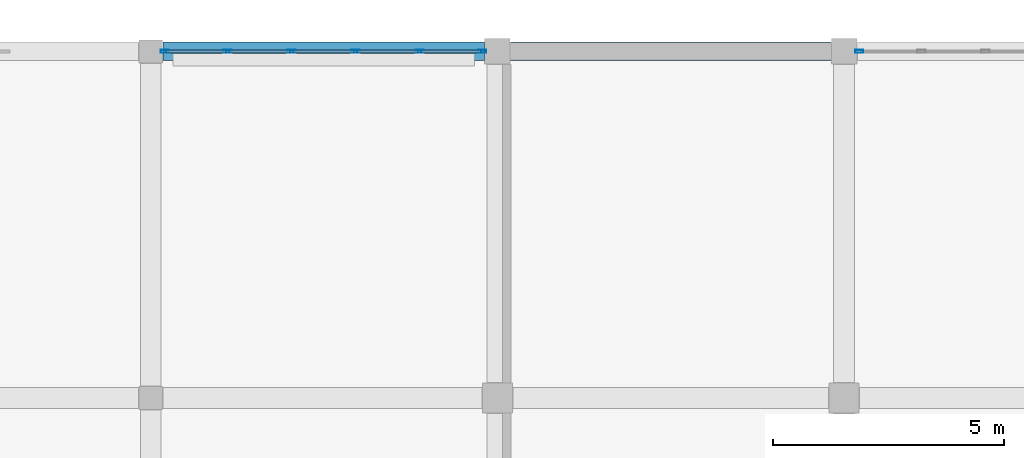
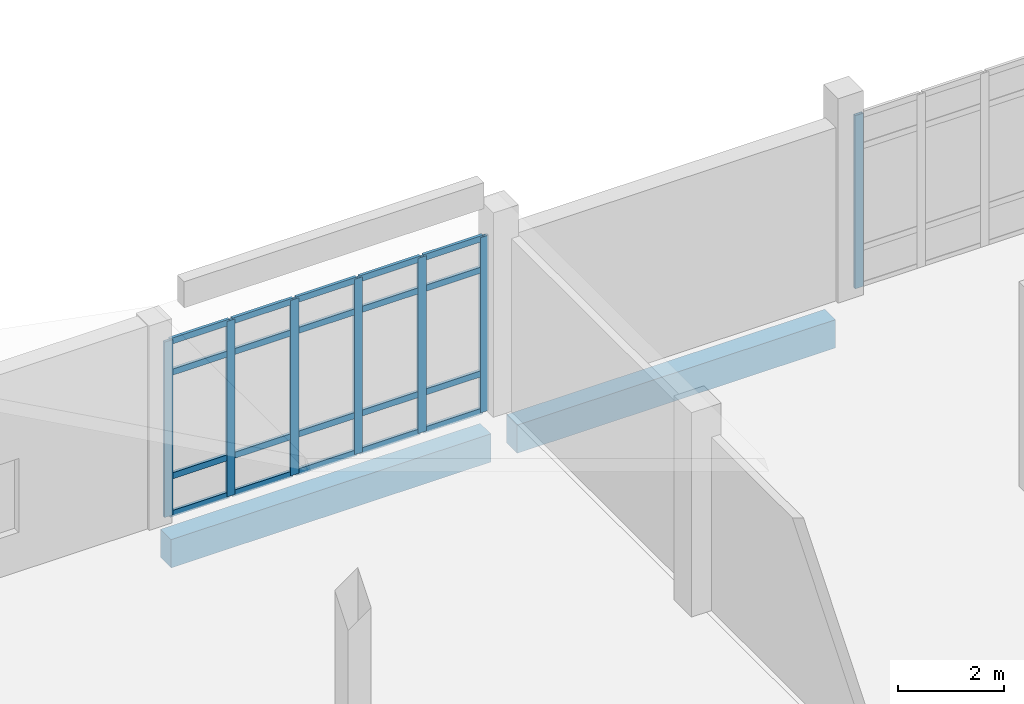
# One storey, part 72 of 173: 27 members, 2 beams, 2 elements without a shape of their own.
"""IFC4 building model written with IfcOpenShell, lengths in metres."""

from ifc_helpers import new_model, si_unit, direction, frame, origin, origin_2d, place, context, subcontext, project, spatial, rectangle, hollow_rectangle, extrude, material, layer, layer_set, material_profile, profile_set, type_object, element, aggregate, save


model = new_model("IFC4")

# Units and contexts
model_context = context("Model", 3, precision=1e-05, world=origin(), true_north=direction((0.0, 1.0)))
body_context = subcontext(model_context, "Body", "Model", "MODEL_VIEW")
ifc_project = project(units=[si_unit("LENGTHUNIT", "METRE"), si_unit("AREAUNIT", "SQUARE_METRE"), si_unit("VOLUMEUNIT", "CUBIC_METRE"), si_unit("PLANEANGLEUNIT", "RADIAN"), si_unit("MASSUNIT", "GRAM", prefix="KILO")], contexts=[model_context])

# Site, building, storey
site_placement = place(None, origin())
site = spatial("IfcSite", under=ifc_project, at=site_placement, CompositionType="ELEMENT")
building_placement = place(site_placement, origin())
building = spatial("IfcBuilding", under=site, at=building_placement, Name="Mawjan Specialist Oncology Clinic", CompositionType="ELEMENT")
storey_placement = place(building_placement, origin())
storey = spatial("IfcBuildingStorey", under=building, at=storey_placement, Name="L00", CompositionType="ELEMENT", Elevation=0.0)

# Curtain wall, members
ifc_material_1 = material(Name="Unitised spectrally selective aluminium curtain wall", Category="aluminium")
ifc_layer_1 = layer(ifc_material_1, 0.179931640625, Name="Unitised spectrally selective aluminium curtain wall", Category="aluminium")
ifc_layer_set_1 = layer_set([ifc_layer_1], Name="Unitised spectrally selective aluminium curtain wall")
curtain_wall_type_1 = type_object("IfcCurtainWallType", Name="CW-12", PredefinedType="NOTDEFINED", material=ifc_layer_set_1)
curtain_wall_1_placement = place(storey_placement, origin())
curtain_wall_1 = element("IfcCurtainWall", 1, at=curtain_wall_1_placement, inside=storey, type_object=curtain_wall_type_1, Name="L00 Unitised Curtain Wall CW-L00-020", PredefinedType="NOTDEFINED")
ifc_material_2 = material(Name="Thermally broken aluminium 6063-T6", Category="aluminium")
ifc_material_profile_1 = material_profile(ifc_material_2, hollow_rectangle(XDim=0.06494140625, YDim=0.179931640625, WallThickness=0.00390625, at=origin_2d()), Name="ALU MULLION 180x65x4", Category="aluminium")
ifc_profile_set_1 = profile_set([ifc_material_profile_1], Name="Thermally broken aluminium 6063-T6")
member_type_1 = type_object("IfcMemberType", Name="CW-M180", PredefinedType="MULLION", material=ifc_profile_set_1)
member_1_placement = place(storey_placement, frame((37.802490234375, 113.300048828125, 0.0), z_axis=(0.0, 0.0, 1.0), x_axis=(0.0, 1.0, 0.0)))
member_1 = element("IfcMember", 2, at=member_1_placement, type_object=member_type_1, Name="CW-12 mullion 1", PredefinedType="MULLION", context=body_context, shape_type="SweptSolid", body=[
    extrude(hollow_rectangle(XDim=0.06494140625, YDim=0.179931640625, WallThickness=0.00390625, at=origin_2d()), origin(), (0.0, 0.0, 1.0), 4.034912109375),
])
member_2_placement = place(storey_placement, frame((39.156982421875, 113.300048828125, 0.0), z_axis=(0.0, 0.0, 1.0), x_axis=(0.0, 1.0, 0.0)))
member_2 = element("IfcMember", 3, at=member_2_placement, type_object=member_type_1, Name="CW-12 mullion 2", PredefinedType="MULLION", context=body_context, shape_type="SweptSolid", body=[
    extrude(hollow_rectangle(XDim=0.06494140625, YDim=0.179931640625, WallThickness=0.00390625, at=origin_2d()), origin(), (0.0, 0.0, 1.0), 4.034912109375),
])
member_3_placement = place(storey_placement, frame((40.5439453125, 113.300048828125, 0.0), z_axis=(0.0, 0.0, 1.0), x_axis=(0.0, 1.0, 0.0)))
member_3 = element("IfcMember", 4, at=member_3_placement, type_object=member_type_1, Name="CW-12 mullion 3", PredefinedType="MULLION", context=body_context, shape_type="SweptSolid", body=[
    extrude(hollow_rectangle(XDim=0.06494140625, YDim=0.179931640625, WallThickness=0.00390625, at=origin_2d()), origin(), (0.0, 0.0, 1.0), 4.034912109375),
])
member_4_placement = place(storey_placement, frame((41.930908203125, 113.300048828125, 0.0), z_axis=(0.0, 0.0, 1.0), x_axis=(0.0, 1.0, 0.0)))
member_4 = element("IfcMember", 5, at=member_4_placement, type_object=member_type_1, Name="CW-12 mullion 4", PredefinedType="MULLION", context=body_context, shape_type="SweptSolid", body=[
    extrude(hollow_rectangle(XDim=0.06494140625, YDim=0.179931640625, WallThickness=0.00390625, at=origin_2d()), origin(), (0.0, 0.0, 1.0), 4.034912109375),
])
member_5_placement = place(storey_placement, frame((43.318115234375, 113.300048828125, 0.0), z_axis=(0.0, 0.0, 1.0), x_axis=(0.0, 1.0, 0.0)))
member_5 = element("IfcMember", 6, at=member_5_placement, type_object=member_type_1, Name="CW-12 mullion 5", PredefinedType="MULLION", context=body_context, shape_type="SweptSolid", body=[
    extrude(hollow_rectangle(XDim=0.06494140625, YDim=0.179931640625, WallThickness=0.00390625, at=origin_2d()), origin(), (0.0, 0.0, 1.0), 4.034912109375),
])
member_6_placement = place(storey_placement, frame((44.672607421875, 113.300048828125, 0.0), z_axis=(0.0, 0.0, 1.0), x_axis=(0.0, 1.0, 0.0)))
member_6 = element("IfcMember", 7, at=member_6_placement, type_object=member_type_1, Name="CW-12 mullion 6", PredefinedType="MULLION", context=body_context, shape_type="SweptSolid", body=[
    extrude(hollow_rectangle(XDim=0.06494140625, YDim=0.179931640625, WallThickness=0.00390625, at=origin_2d()), origin(), (0.0, 0.0, 1.0), 4.034912109375),
])

# Curtain wall, member
ifc_material_3 = material(Name="Unitised spectrally selective aluminium curtain wall", Category="aluminium")
ifc_layer_2 = layer(ifc_material_3, 0.179931640625, Name="Unitised spectrally selective aluminium curtain wall", Category="aluminium")
ifc_layer_set_2 = layer_set([ifc_layer_2], Name="Unitised spectrally selective aluminium curtain wall")
curtain_wall_type_2 = type_object("IfcCurtainWallType", Name="CW-08", PredefinedType="NOTDEFINED", material=ifc_layer_set_2)
curtain_wall_2_placement = place(storey_placement, origin())
curtain_wall_2 = element("IfcCurtainWall", 8, at=curtain_wall_2_placement, inside=storey, type_object=curtain_wall_type_2, Name="L00 Unitised Curtain Wall CW-L00-021", PredefinedType="NOTDEFINED")
member_7_placement = place(storey_placement, frame((52.827392578125, 113.300048828125, 0.0), z_axis=(0.0, 0.0, 1.0), x_axis=(0.0, 1.0, 0.0)))
member_7 = element("IfcMember", 9, at=member_7_placement, type_object=member_type_1, Name="CW-08 mullion 1", PredefinedType="MULLION", context=body_context, shape_type="SweptSolid", body=[
    extrude(hollow_rectangle(XDim=0.06494140625, YDim=0.179931640625, WallThickness=0.00390625, at=origin_2d()), origin(), (0.0, 0.0, 1.0), 3.985107421875),
])
aggregate(curtain_wall_2, [member_7])

# Member
ifc_material_4 = material(Name="Thermally broken aluminium 6063-T6", Category="aluminium")
ifc_material_profile_2 = material_profile(ifc_material_4, hollow_rectangle(XDim=0.06494140625, YDim=0.139892578125, WallThickness=0.00390625, at=origin_2d()), Name="ALU TRANSOM 140x65x4", Category="aluminium")
ifc_profile_set_2 = profile_set([ifc_material_profile_2], Name="Thermally broken aluminium 6063-T6")
member_type_2 = type_object("IfcMemberType", Name="CW-T140", PredefinedType="USERDEFINED", material=ifc_profile_set_2)
member_8_placement = place(storey_placement, frame((37.8349609375, 113.300048828125, 0.032470703125), z_axis=(1.0, 0.0, 0.0), x_axis=(0.0, 1.0, 0.0)))
member_8 = element("IfcMember", 10, at=member_8_placement, type_object=member_type_2, Name="CW-12 transom 1.1", ObjectType="TRANSOM", PredefinedType="USERDEFINED", context=body_context, shape_type="SweptSolid", body=[
    extrude(hollow_rectangle(XDim=0.06494140625, YDim=0.139892578125, WallThickness=0.00390625, at=origin_2d()), origin(), (0.0, 0.0, 1.0), 1.28955078125),
])

member_9_placement = place(storey_placement, frame((37.8349609375, 113.300048828125, 0.89990234375), z_axis=(1.0, 0.0, 0.0), x_axis=(0.0, 1.0, 0.0)))
member_9 = element("IfcMember", 11, at=member_9_placement, type_object=member_type_2, Name="CW-12 transom 1.2", ObjectType="TRANSOM", PredefinedType="USERDEFINED", context=body_context, shape_type="SweptSolid", body=[
    extrude(hollow_rectangle(XDim=0.06494140625, YDim=0.139892578125, WallThickness=0.00390625, at=origin_2d()), origin(), (0.0, 0.0, 1.0), 1.28955078125),
])

member_10_placement = place(storey_placement, frame((37.8349609375, 113.300048828125, 3.284912109375), z_axis=(1.0, 0.0, 0.0), x_axis=(0.0, 1.0, 0.0)))
member_10 = element("IfcMember", 12, at=member_10_placement, type_object=member_type_2, Name="CW-12 transom 1.3", ObjectType="TRANSOM", PredefinedType="USERDEFINED", context=body_context, shape_type="SweptSolid", body=[
    extrude(hollow_rectangle(XDim=0.06494140625, YDim=0.139892578125, WallThickness=0.00390625, at=origin_2d()), origin(), (0.0, 0.0, 1.0), 1.28955078125),
])

member_11_placement = place(storey_placement, frame((37.8349609375, 113.300048828125, 4.00244140625), z_axis=(1.0, 0.0, 0.0), x_axis=(0.0, 1.0, 0.0)))
member_11 = element("IfcMember", 13, at=member_11_placement, type_object=member_type_2, Name="CW-12 transom 1.4", ObjectType="TRANSOM", PredefinedType="USERDEFINED", context=body_context, shape_type="SweptSolid", body=[
    extrude(hollow_rectangle(XDim=0.06494140625, YDim=0.139892578125, WallThickness=0.00390625, at=origin_2d()), origin(), (0.0, 0.0, 1.0), 1.28955078125),
])

member_12_placement = place(storey_placement, frame((39.189453125, 113.300048828125, 0.032470703125), z_axis=(1.0, 0.0, 0.0), x_axis=(0.0, 1.0, 0.0)))
member_12 = element("IfcMember", 14, at=member_12_placement, type_object=member_type_2, Name="CW-12 transom 2.1", ObjectType="TRANSOM", PredefinedType="USERDEFINED", context=body_context, shape_type="SweptSolid", body=[
    extrude(hollow_rectangle(XDim=0.06494140625, YDim=0.139892578125, WallThickness=0.00390625, at=origin_2d()), origin(), (0.0, 0.0, 1.0), 1.322021484375),
])

member_13_placement = place(storey_placement, frame((39.189453125, 113.300048828125, 0.89990234375), z_axis=(1.0, 0.0, 0.0), x_axis=(0.0, 1.0, 0.0)))
member_13 = element("IfcMember", 15, at=member_13_placement, type_object=member_type_2, Name="CW-12 transom 2.2", ObjectType="TRANSOM", PredefinedType="USERDEFINED", context=body_context, shape_type="SweptSolid", body=[
    extrude(hollow_rectangle(XDim=0.06494140625, YDim=0.139892578125, WallThickness=0.00390625, at=origin_2d()), origin(), (0.0, 0.0, 1.0), 1.322021484375),
])

member_14_placement = place(storey_placement, frame((39.189453125, 113.300048828125, 3.284912109375), z_axis=(1.0, 0.0, 0.0), x_axis=(0.0, 1.0, 0.0)))
member_14 = element("IfcMember", 16, at=member_14_placement, type_object=member_type_2, Name="CW-12 transom 2.3", ObjectType="TRANSOM", PredefinedType="USERDEFINED", context=body_context, shape_type="SweptSolid", body=[
    extrude(hollow_rectangle(XDim=0.06494140625, YDim=0.139892578125, WallThickness=0.00390625, at=origin_2d()), origin(), (0.0, 0.0, 1.0), 1.322021484375),
])

member_15_placement = place(storey_placement, frame((39.189453125, 113.300048828125, 4.00244140625), z_axis=(1.0, 0.0, 0.0), x_axis=(0.0, 1.0, 0.0)))
member_15 = element("IfcMember", 17, at=member_15_placement, type_object=member_type_2, Name="CW-12 transom 2.4", ObjectType="TRANSOM", PredefinedType="USERDEFINED", context=body_context, shape_type="SweptSolid", body=[
    extrude(hollow_rectangle(XDim=0.06494140625, YDim=0.139892578125, WallThickness=0.00390625, at=origin_2d()), origin(), (0.0, 0.0, 1.0), 1.322021484375),
])

member_16_placement = place(storey_placement, frame((40.576416015625, 113.300048828125, 0.032470703125), z_axis=(1.0, 0.0, 0.0), x_axis=(0.0, 1.0, 0.0)))
member_16 = element("IfcMember", 18, at=member_16_placement, type_object=member_type_2, Name="CW-12 transom 3.1", ObjectType="TRANSOM", PredefinedType="USERDEFINED", context=body_context, shape_type="SweptSolid", body=[
    extrude(hollow_rectangle(XDim=0.06494140625, YDim=0.139892578125, WallThickness=0.00390625, at=origin_2d()), origin(), (0.0, 0.0, 1.0), 1.322021484375),
])

member_17_placement = place(storey_placement, frame((40.576416015625, 113.300048828125, 0.89990234375), z_axis=(1.0, 0.0, 0.0), x_axis=(0.0, 1.0, 0.0)))
member_17 = element("IfcMember", 19, at=member_17_placement, type_object=member_type_2, Name="CW-12 transom 3.2", ObjectType="TRANSOM", PredefinedType="USERDEFINED", context=body_context, shape_type="SweptSolid", body=[
    extrude(hollow_rectangle(XDim=0.06494140625, YDim=0.139892578125, WallThickness=0.00390625, at=origin_2d()), origin(), (0.0, 0.0, 1.0), 1.322021484375),
])

member_18_placement = place(storey_placement, frame((40.576416015625, 113.300048828125, 3.284912109375), z_axis=(1.0, 0.0, 0.0), x_axis=(0.0, 1.0, 0.0)))
member_18 = element("IfcMember", 20, at=member_18_placement, type_object=member_type_2, Name="CW-12 transom 3.3", ObjectType="TRANSOM", PredefinedType="USERDEFINED", context=body_context, shape_type="SweptSolid", body=[
    extrude(hollow_rectangle(XDim=0.06494140625, YDim=0.139892578125, WallThickness=0.00390625, at=origin_2d()), origin(), (0.0, 0.0, 1.0), 1.322021484375),
])

member_19_placement = place(storey_placement, frame((40.576416015625, 113.300048828125, 4.00244140625), z_axis=(1.0, 0.0, 0.0), x_axis=(0.0, 1.0, 0.0)))
member_19 = element("IfcMember", 21, at=member_19_placement, type_object=member_type_2, Name="CW-12 transom 3.4", ObjectType="TRANSOM", PredefinedType="USERDEFINED", context=body_context, shape_type="SweptSolid", body=[
    extrude(hollow_rectangle(XDim=0.06494140625, YDim=0.139892578125, WallThickness=0.00390625, at=origin_2d()), origin(), (0.0, 0.0, 1.0), 1.322021484375),
])

member_20_placement = place(storey_placement, frame((41.96337890625, 113.300048828125, 0.032470703125), z_axis=(1.0, 0.0, 0.0), x_axis=(0.0, 1.0, 0.0)))
member_20 = element("IfcMember", 22, at=member_20_placement, type_object=member_type_2, Name="CW-12 transom 4.1", ObjectType="TRANSOM", PredefinedType="USERDEFINED", context=body_context, shape_type="SweptSolid", body=[
    extrude(hollow_rectangle(XDim=0.06494140625, YDim=0.139892578125, WallThickness=0.00390625, at=origin_2d()), origin(), (0.0, 0.0, 1.0), 1.322021484375),
])

member_21_placement = place(storey_placement, frame((41.96337890625, 113.300048828125, 0.89990234375), z_axis=(1.0, 0.0, 0.0), x_axis=(0.0, 1.0, 0.0)))
member_21 = element("IfcMember", 23, at=member_21_placement, type_object=member_type_2, Name="CW-12 transom 4.2", ObjectType="TRANSOM", PredefinedType="USERDEFINED", context=body_context, shape_type="SweptSolid", body=[
    extrude(hollow_rectangle(XDim=0.06494140625, YDim=0.139892578125, WallThickness=0.00390625, at=origin_2d()), origin(), (0.0, 0.0, 1.0), 1.322021484375),
])

member_22_placement = place(storey_placement, frame((41.96337890625, 113.300048828125, 3.284912109375), z_axis=(1.0, 0.0, 0.0), x_axis=(0.0, 1.0, 0.0)))
member_22 = element("IfcMember", 24, at=member_22_placement, type_object=member_type_2, Name="CW-12 transom 4.3", ObjectType="TRANSOM", PredefinedType="USERDEFINED", context=body_context, shape_type="SweptSolid", body=[
    extrude(hollow_rectangle(XDim=0.06494140625, YDim=0.139892578125, WallThickness=0.00390625, at=origin_2d()), origin(), (0.0, 0.0, 1.0), 1.322021484375),
])

member_23_placement = place(storey_placement, frame((41.96337890625, 113.300048828125, 4.00244140625), z_axis=(1.0, 0.0, 0.0), x_axis=(0.0, 1.0, 0.0)))
member_23 = element("IfcMember", 25, at=member_23_placement, type_object=member_type_2, Name="CW-12 transom 4.4", ObjectType="TRANSOM", PredefinedType="USERDEFINED", context=body_context, shape_type="SweptSolid", body=[
    extrude(hollow_rectangle(XDim=0.06494140625, YDim=0.139892578125, WallThickness=0.00390625, at=origin_2d()), origin(), (0.0, 0.0, 1.0), 1.322021484375),
])

member_24_placement = place(storey_placement, frame((43.3505859375, 113.300048828125, 0.032470703125), z_axis=(1.0, 0.0, 0.0), x_axis=(0.0, 1.0, 0.0)))
member_24 = element("IfcMember", 26, at=member_24_placement, type_object=member_type_2, Name="CW-12 transom 5.1", ObjectType="TRANSOM", PredefinedType="USERDEFINED", context=body_context, shape_type="SweptSolid", body=[
    extrude(hollow_rectangle(XDim=0.06494140625, YDim=0.139892578125, WallThickness=0.00390625, at=origin_2d()), origin(), (0.0, 0.0, 1.0), 1.289306640625),
])

member_25_placement = place(storey_placement, frame((43.3505859375, 113.300048828125, 0.89990234375), z_axis=(1.0, 0.0, 0.0), x_axis=(0.0, 1.0, 0.0)))
member_25 = element("IfcMember", 27, at=member_25_placement, type_object=member_type_2, Name="CW-12 transom 5.2", ObjectType="TRANSOM", PredefinedType="USERDEFINED", context=body_context, shape_type="SweptSolid", body=[
    extrude(hollow_rectangle(XDim=0.06494140625, YDim=0.139892578125, WallThickness=0.00390625, at=origin_2d()), origin(), (0.0, 0.0, 1.0), 1.289306640625),
])

member_26_placement = place(storey_placement, frame((43.3505859375, 113.300048828125, 3.284912109375), z_axis=(1.0, 0.0, 0.0), x_axis=(0.0, 1.0, 0.0)))
member_26 = element("IfcMember", 28, at=member_26_placement, type_object=member_type_2, Name="CW-12 transom 5.3", ObjectType="TRANSOM", PredefinedType="USERDEFINED", context=body_context, shape_type="SweptSolid", body=[
    extrude(hollow_rectangle(XDim=0.06494140625, YDim=0.139892578125, WallThickness=0.00390625, at=origin_2d()), origin(), (0.0, 0.0, 1.0), 1.289306640625),
])

member_27_placement = place(storey_placement, frame((43.3505859375, 113.300048828125, 4.00244140625), z_axis=(1.0, 0.0, 0.0), x_axis=(0.0, 1.0, 0.0)))
member_27 = element("IfcMember", 29, at=member_27_placement, type_object=member_type_2, Name="CW-12 transom 5.4", ObjectType="TRANSOM", PredefinedType="USERDEFINED", context=body_context, shape_type="SweptSolid", body=[
    extrude(hollow_rectangle(XDim=0.06494140625, YDim=0.139892578125, WallThickness=0.00390625, at=origin_2d()), origin(), (0.0, 0.0, 1.0), 1.289306640625),
])

aggregate(curtain_wall_1, [member_1, member_2, member_3, member_4, member_5, member_6, member_8, member_9, member_10, member_11, member_12, member_13, member_14, member_15, member_16, member_17, member_18, member_19, member_20, member_21, member_22, member_23, member_24, member_25, member_26, member_27])

# Beams
ifc_material_5 = material(Name="Concrete C45/55", Category="concrete")
ifc_material_profile_3 = material_profile(ifc_material_5, rectangle(XDim=0.39990234375, YDim=0.64990234375, at=origin_2d()), Name="RC BM 400x650", Category="concrete")
ifc_profile_set_3 = profile_set([ifc_material_profile_3], Name="Concrete C45/55")
beam_type = type_object("IfcBeamType", Name="SP-400x650", PredefinedType="SPANDREL", material=ifc_profile_set_3)
beam_1_placement = place(storey_placement, frame((37.760009765625, 113.300048828125, -0.7451171875), z_axis=(1.0, 0.0, 0.0), x_axis=(0.0, 1.0, 0.0)))
element("IfcBeam", 30, at=beam_1_placement, inside=storey, type_object=beam_type, Name="L00 Spandrel Beam BM-L00-0101", PredefinedType="SPANDREL", context=body_context, shape_type="SweptSolid", body=[
    extrude(rectangle(XDim=0.39990234375, YDim=0.64990234375, at=origin_2d()), origin(), (0.0, 0.0, 1.0), 6.955078125),
])
beam_2_placement = place(storey_placement, frame((45.284912109375, 113.300048828125, -0.7451171875), z_axis=(1.0, 0.0, 0.0), x_axis=(0.0, 1.0, 0.0)))
element("IfcBeam", 31, at=beam_2_placement, inside=storey, type_object=beam_type, Name="L00 Spandrel Beam BM-L00-0102", PredefinedType="SPANDREL", context=body_context, shape_type="SweptSolid", body=[
    extrude(rectangle(XDim=0.39990234375, YDim=0.64990234375, at=origin_2d()), origin(), (0.0, 0.0, 1.0), 6.93017578125),
])

save(model, "model.ifc")
